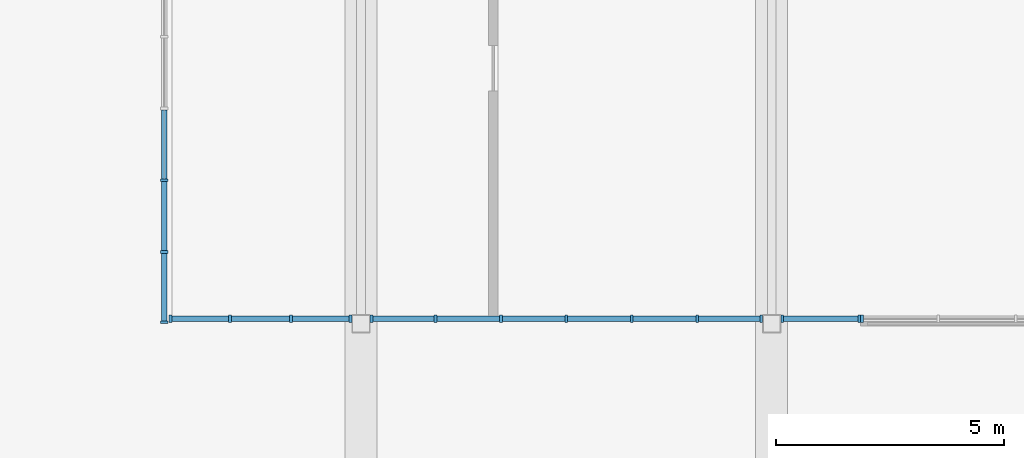
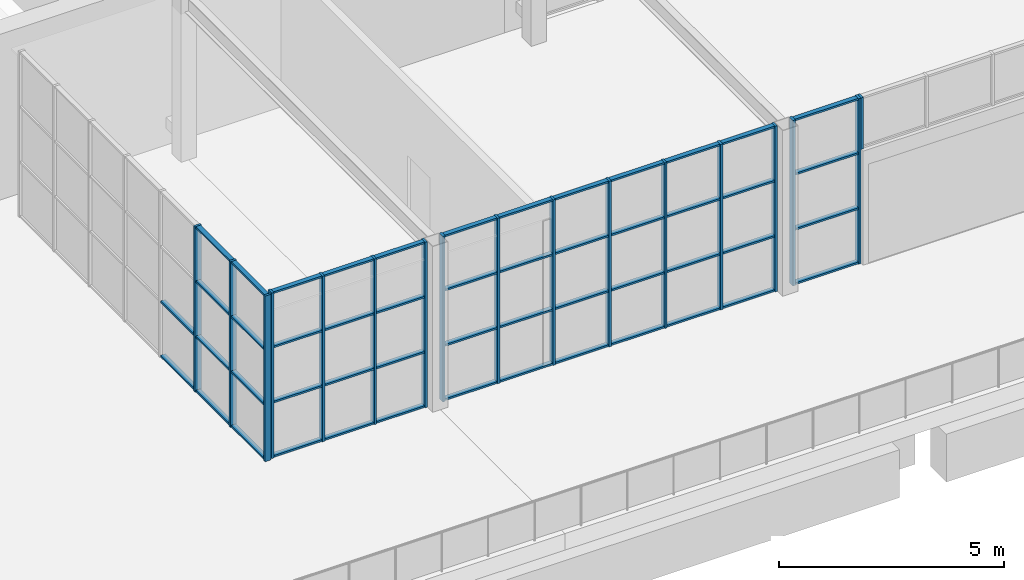
# One storey, part 29 of 168: 67 members, 5 elements without a shape of their own.
"""IFC4 building model written with IfcOpenShell, lengths in metres."""

from ifc_helpers import new_model, si_unit, direction, frame, origin, origin_2d, place, context, subcontext, project, spatial, rectangle, extrude, material, material_profile, profile_set, type_object, element, aggregate, save


model = new_model("IFC4")

# Units and contexts
model_context = context("Model", 3, precision=1e-05, world=origin(), true_north=direction((0.0, 1.0)))
body_context = subcontext(model_context, "Body", "Model", "MODEL_VIEW")
ifc_project = project(units=[si_unit("LENGTHUNIT", "METRE"), si_unit("AREAUNIT", "SQUARE_METRE"), si_unit("VOLUMEUNIT", "CUBIC_METRE"), si_unit("PLANEANGLEUNIT", "RADIAN"), si_unit("MASSUNIT", "GRAM", prefix="KILO")], contexts=[model_context])

# Site, building, storey
site_placement = place(None, origin())
site = spatial("IfcSite", under=ifc_project, at=site_placement, CompositionType="ELEMENT")
building_placement = place(site_placement, origin())
building = spatial("IfcBuilding", under=site, at=building_placement, Name="Silverbay Arena", CompositionType="ELEMENT")
storey_placement = place(building_placement, frame((0.0, 0.0, 7.0)))
storey = spatial("IfcBuildingStorey", under=building, at=storey_placement, Name="L01", CompositionType="ELEMENT", Elevation=7.0)

# Curtain wall, members
ifc_material_1 = material(Name="Aluminium framed curtain wall", Category="aluminium")
curtain_wall_type_1 = type_object("IfcCurtainWallType", Name="Curtain wall 8600 x 4500", PredefinedType="NOTDEFINED", material=ifc_material_1)
curtain_wall_1_placement = place(storey_placement, origin())
curtain_wall_1 = element("IfcCurtainWall", 1, at=curtain_wall_1_placement, inside=storey, type_object=curtain_wall_type_1, Name="South entrance hall S1 glazing F0", PredefinedType="NOTDEFINED")
ifc_material_2 = material(Name="Aluminium", Category="aluminium")
ifc_material_profile_1 = material_profile(ifc_material_2, rectangle(XDim=0.159912109375, YDim=0.06005859375, at=origin_2d()), Name="Mullion 60 x 160")
ifc_profile_set_1 = profile_set([ifc_material_profile_1], Name="Aluminium")
member_type_1 = type_object("IfcMemberType", Name="Mullion 60 x 160", PredefinedType="MULLION", material=ifc_profile_set_1)
member_1_placement = place(storey_placement, frame((117.22998046875, 5.860107421875, 0.0), z_axis=(0.0, 0.0, 1.0), x_axis=(0.0, 1.0, 0.0)))
member_1 = element("IfcMember", 2, at=member_1_placement, type_object=member_type_1, Name="CW24 mullion 1", PredefinedType="MULLION", context=body_context, shape_type="SweptSolid", body=[
    extrude(rectangle(XDim=0.159912109375, YDim=0.06005859375, at=origin_2d()), origin(), (0.0, 0.0, 1.0), 4.5),
])
member_2_placement = place(storey_placement, frame((118.63330078125, 5.860107421875, 0.0), z_axis=(0.0, 0.0, 1.0), x_axis=(0.0, 1.0, 0.0)))
member_2 = element("IfcMember", 3, at=member_2_placement, type_object=member_type_1, Name="CW24 mullion 2", PredefinedType="MULLION", context=body_context, shape_type="SweptSolid", body=[
    extrude(rectangle(XDim=0.159912109375, YDim=0.06005859375, at=origin_2d()), origin(), (0.0, 0.0, 1.0), 4.5),
])
member_3_placement = place(storey_placement, frame((120.066650390625, 5.860107421875, 0.0), z_axis=(0.0, 0.0, 1.0), x_axis=(0.0, 1.0, 0.0)))
member_3 = element("IfcMember", 4, at=member_3_placement, type_object=member_type_1, Name="CW24 mullion 3", PredefinedType="MULLION", context=body_context, shape_type="SweptSolid", body=[
    extrude(rectangle(XDim=0.159912109375, YDim=0.06005859375, at=origin_2d()), origin(), (0.0, 0.0, 1.0), 4.5),
])
member_4_placement = place(storey_placement, frame((121.5, 5.860107421875, 0.0), z_axis=(0.0, 0.0, 1.0), x_axis=(0.0, 1.0, 0.0)))
member_4 = element("IfcMember", 5, at=member_4_placement, type_object=member_type_1, Name="CW24 mullion 4", PredefinedType="MULLION", context=body_context, shape_type="SweptSolid", body=[
    extrude(rectangle(XDim=0.159912109375, YDim=0.06005859375, at=origin_2d()), origin(), (0.0, 0.0, 1.0), 4.5),
])
member_5_placement = place(storey_placement, frame((122.933349609375, 5.860107421875, 0.0), z_axis=(0.0, 0.0, 1.0), x_axis=(0.0, 1.0, 0.0)))
member_5 = element("IfcMember", 6, at=member_5_placement, type_object=member_type_1, Name="CW24 mullion 5", PredefinedType="MULLION", context=body_context, shape_type="SweptSolid", body=[
    extrude(rectangle(XDim=0.159912109375, YDim=0.06005859375, at=origin_2d()), origin(), (0.0, 0.0, 1.0), 4.5),
])
member_6_placement = place(storey_placement, frame((124.36669921875, 5.860107421875, 0.0), z_axis=(0.0, 0.0, 1.0), x_axis=(0.0, 1.0, 0.0)))
member_6 = element("IfcMember", 7, at=member_6_placement, type_object=member_type_1, Name="CW24 mullion 6", PredefinedType="MULLION", context=body_context, shape_type="SweptSolid", body=[
    extrude(rectangle(XDim=0.159912109375, YDim=0.06005859375, at=origin_2d()), origin(), (0.0, 0.0, 1.0), 4.5),
])
member_7_placement = place(storey_placement, frame((125.77001953125, 5.860107421875, 0.0), z_axis=(0.0, 0.0, 1.0), x_axis=(0.0, 1.0, 0.0)))
member_7 = element("IfcMember", 8, at=member_7_placement, type_object=member_type_1, Name="CW24 mullion 7", PredefinedType="MULLION", context=body_context, shape_type="SweptSolid", body=[
    extrude(rectangle(XDim=0.159912109375, YDim=0.06005859375, at=origin_2d()), origin(), (0.0, 0.0, 1.0), 4.5),
])

ifc_material_3 = material(Name="Aluminium framed curtain wall", Category="aluminium")
curtain_wall_type_2 = type_object("IfcCurtainWallType", Name="Curtain wall 1750 x 4500", PredefinedType="NOTDEFINED", material=ifc_material_3)
curtain_wall_2_placement = place(storey_placement, origin())
curtain_wall_2 = element("IfcCurtainWall", 9, at=curtain_wall_2_placement, inside=storey, type_object=curtain_wall_type_2, Name="South entrance hall S1 glazing F1a", PredefinedType="NOTDEFINED")
member_8_placement = place(storey_placement, frame((126.22998046875, 5.860107421875, 0.0), z_axis=(0.0, 0.0, 1.0), x_axis=(0.0, 1.0, 0.0)))
member_8 = element("IfcMember", 10, at=member_8_placement, type_object=member_type_1, Name="CW28 mullion 1", PredefinedType="MULLION", context=body_context, shape_type="SweptSolid", body=[
    extrude(rectangle(XDim=0.159912109375, YDim=0.06005859375, at=origin_2d()), origin(), (0.0, 0.0, 1.0), 4.5),
])
member_9_placement = place(storey_placement, frame((127.919921875, 5.860107421875, 0.0), z_axis=(0.0, 0.0, 1.0), x_axis=(0.0, 1.0, 0.0)))
member_9 = element("IfcMember", 11, at=member_9_placement, type_object=member_type_1, Name="CW28 mullion 2", PredefinedType="MULLION", context=body_context, shape_type="SweptSolid", body=[
    extrude(rectangle(XDim=0.159912109375, YDim=0.06005859375, at=origin_2d()), origin(), (0.0, 0.0, 1.0), 4.5),
])

ifc_material_4 = material(Name="Aluminium framed curtain wall", Category="aluminium")
curtain_wall_type_3 = type_object("IfcCurtainWallType", Name="Curtain wall 4000 x 4500", PredefinedType="NOTDEFINED", material=ifc_material_4)
curtain_wall_3_placement = place(storey_placement, origin())
curtain_wall_3 = element("IfcCurtainWall", 12, at=curtain_wall_3_placement, inside=storey, type_object=curtain_wall_type_3, Name="South entrance hall S1 glazing F-a", PredefinedType="NOTDEFINED")
member_10_placement = place(storey_placement, frame((112.830078125, 5.860107421875, 0.0), z_axis=(0.0, 0.0, 1.0), x_axis=(0.0, 1.0, 0.0)))
member_10 = element("IfcMember", 13, at=member_10_placement, type_object=member_type_1, Name="CW32 mullion 1", PredefinedType="MULLION", context=body_context, shape_type="SweptSolid", body=[
    extrude(rectangle(XDim=0.159912109375, YDim=0.06005859375, at=origin_2d()), origin(), (0.0, 0.0, 1.0), 4.5),
])
member_11_placement = place(storey_placement, frame((114.13330078125, 5.860107421875, 0.0), z_axis=(0.0, 0.0, 1.0), x_axis=(0.0, 1.0, 0.0)))
member_11 = element("IfcMember", 14, at=member_11_placement, type_object=member_type_1, Name="CW32 mullion 2", PredefinedType="MULLION", context=body_context, shape_type="SweptSolid", body=[
    extrude(rectangle(XDim=0.159912109375, YDim=0.06005859375, at=origin_2d()), origin(), (0.0, 0.0, 1.0), 4.5),
])
member_12_placement = place(storey_placement, frame((115.466552734375, 5.860107421875, 0.0), z_axis=(0.0, 0.0, 1.0), x_axis=(0.0, 1.0, 0.0)))
member_12 = element("IfcMember", 15, at=member_12_placement, type_object=member_type_1, Name="CW32 mullion 3", PredefinedType="MULLION", context=body_context, shape_type="SweptSolid", body=[
    extrude(rectangle(XDim=0.159912109375, YDim=0.06005859375, at=origin_2d()), origin(), (0.0, 0.0, 1.0), 4.5),
])
member_13_placement = place(storey_placement, frame((116.77001953125, 5.860107421875, 0.0), z_axis=(0.0, 0.0, 1.0), x_axis=(0.0, 1.0, 0.0)))
member_13 = element("IfcMember", 16, at=member_13_placement, type_object=member_type_1, Name="CW32 mullion 4", PredefinedType="MULLION", context=body_context, shape_type="SweptSolid", body=[
    extrude(rectangle(XDim=0.159912109375, YDim=0.06005859375, at=origin_2d()), origin(), (0.0, 0.0, 1.0), 4.5),
])

ifc_material_5 = material(Name="Aluminium framed curtain wall", Category="aluminium")
curtain_wall_type_4 = type_object("IfcCurtainWallType", Name="Curtain wall 11000 x 4500", PredefinedType="NOTDEFINED", material=ifc_material_5)
curtain_wall_4_placement = place(storey_placement, origin())
curtain_wall_4 = element("IfcCurtainWall", 17, at=curtain_wall_4_placement, inside=storey, type_object=curtain_wall_type_4, Name="South entrance hall S1 glazing SA", PredefinedType="NOTDEFINED")
member_14_placement = place(storey_placement, frame((112.68994140625, 5.780029296875, 0.0), z_axis=(0.0, 0.0, 1.0), x_axis=(-1.0, 0.0, 0.0)))
member_14 = element("IfcMember", 18, at=member_14_placement, type_object=member_type_1, Name="CW36 mullion 1", PredefinedType="MULLION", context=body_context, shape_type="SweptSolid", body=[
    extrude(rectangle(XDim=0.159912109375, YDim=0.06005859375, at=origin_2d()), origin(), (0.0, 0.0, 1.0), 4.5),
])
member_15_placement = place(storey_placement, frame((112.68994140625, 7.321533203125, 0.0), z_axis=(0.0, 0.0, 1.0), x_axis=(-1.0, 0.0, 0.0)))
member_15 = element("IfcMember", 19, at=member_15_placement, type_object=member_type_1, Name="CW36 mullion 2", PredefinedType="MULLION", context=body_context, shape_type="SweptSolid", body=[
    extrude(rectangle(XDim=0.159912109375, YDim=0.06005859375, at=origin_2d()), origin(), (0.0, 0.0, 1.0), 4.5),
])
member_16_placement = place(storey_placement, frame((112.68994140625, 8.892822265625, 0.0), z_axis=(0.0, 0.0, 1.0), x_axis=(-1.0, 0.0, 0.0)))
member_16 = element("IfcMember", 20, at=member_16_placement, type_object=member_type_1, Name="CW36 mullion 3", PredefinedType="MULLION", context=body_context, shape_type="SweptSolid", body=[
    extrude(rectangle(XDim=0.159912109375, YDim=0.06005859375, at=origin_2d()), origin(), (0.0, 0.0, 1.0), 4.5),
])

# Curtain wall, member
ifc_material_6 = material(Name="Aluminium framed curtain wall", Category="aluminium")
curtain_wall_type_5 = type_object("IfcCurtainWallType", Name="Curtain wall 5100 x 1400", PredefinedType="NOTDEFINED", material=ifc_material_6)
curtain_wall_5_placement = place(storey_placement, origin())
curtain_wall_5 = element("IfcCurtainWall", 21, at=curtain_wall_5_placement, inside=storey, type_object=curtain_wall_type_5, Name="South entrance hall S1 glazing over the door", PredefinedType="NOTDEFINED")
member_17_placement = place(storey_placement, frame((127.97998046875, 5.860107421875, 3.10009765625), z_axis=(0.0, 0.0, 1.0), x_axis=(0.0, 1.0, 0.0)))
member_17 = element("IfcMember", 22, at=member_17_placement, type_object=member_type_1, Name="CW39 mullion 1", PredefinedType="MULLION", context=body_context, shape_type="SweptSolid", body=[
    extrude(rectangle(XDim=0.159912109375, YDim=0.06005859375, at=origin_2d()), origin(), (0.0, 0.0, 1.0), 1.39990234375),
])
aggregate(curtain_wall_5, [member_17])

# Member
ifc_material_7 = material(Name="Aluminium", Category="aluminium")
ifc_material_profile_2 = material_profile(ifc_material_7, rectangle(XDim=0.1201171875, YDim=0.050048828125, at=origin_2d()), Name="Transom 50 x 120")
ifc_profile_set_2 = profile_set([ifc_material_profile_2], Name="Aluminium")
member_type_2 = type_object("IfcMemberType", Name="Transom 50 x 120", PredefinedType="USERDEFINED", material=ifc_profile_set_2)
member_18_placement = place(storey_placement, frame((117.260009765625, 5.860107421875, 0.02490234375), z_axis=(1.0, 0.0, 0.0), x_axis=(0.0, 1.0, 0.0)))
member_18 = element("IfcMember", 23, at=member_18_placement, type_object=member_type_2, Name="CW24 transom 1.1", ObjectType="TRANSOM", PredefinedType="USERDEFINED", context=body_context, shape_type="SweptSolid", body=[
    extrude(rectangle(XDim=0.1201171875, YDim=0.050048828125, at=origin_2d()), origin(), (0.0, 0.0, 1.0), 1.34326171875),
])

member_19_placement = place(storey_placement, frame((117.260009765625, 5.860107421875, 1.5), z_axis=(1.0, 0.0, 0.0), x_axis=(0.0, 1.0, 0.0)))
member_19 = element("IfcMember", 24, at=member_19_placement, type_object=member_type_2, Name="CW24 transom 1.2", ObjectType="TRANSOM", PredefinedType="USERDEFINED", context=body_context, shape_type="SweptSolid", body=[
    extrude(rectangle(XDim=0.1201171875, YDim=0.050048828125, at=origin_2d()), origin(), (0.0, 0.0, 1.0), 1.34326171875),
])

member_20_placement = place(storey_placement, frame((117.260009765625, 5.860107421875, 3.0), z_axis=(1.0, 0.0, 0.0), x_axis=(0.0, 1.0, 0.0)))
member_20 = element("IfcMember", 25, at=member_20_placement, type_object=member_type_2, Name="CW24 transom 1.3", ObjectType="TRANSOM", PredefinedType="USERDEFINED", context=body_context, shape_type="SweptSolid", body=[
    extrude(rectangle(XDim=0.1201171875, YDim=0.050048828125, at=origin_2d()), origin(), (0.0, 0.0, 1.0), 1.34326171875),
])

member_21_placement = place(storey_placement, frame((117.260009765625, 5.860107421875, 4.47509765625), z_axis=(1.0, 0.0, 0.0), x_axis=(0.0, 1.0, 0.0)))
member_21 = element("IfcMember", 26, at=member_21_placement, type_object=member_type_2, Name="CW24 transom 1.4", ObjectType="TRANSOM", PredefinedType="USERDEFINED", context=body_context, shape_type="SweptSolid", body=[
    extrude(rectangle(XDim=0.1201171875, YDim=0.050048828125, at=origin_2d()), origin(), (0.0, 0.0, 1.0), 1.34326171875),
])

member_22_placement = place(storey_placement, frame((118.663330078125, 5.860107421875, 0.02490234375), z_axis=(1.0, 0.0, 0.0), x_axis=(0.0, 1.0, 0.0)))
member_22 = element("IfcMember", 27, at=member_22_placement, type_object=member_type_2, Name="CW24 transom 2.1", ObjectType="TRANSOM", PredefinedType="USERDEFINED", context=body_context, shape_type="SweptSolid", body=[
    extrude(rectangle(XDim=0.1201171875, YDim=0.050048828125, at=origin_2d()), origin(), (0.0, 0.0, 1.0), 1.373291015625),
])

member_23_placement = place(storey_placement, frame((118.663330078125, 5.860107421875, 1.5), z_axis=(1.0, 0.0, 0.0), x_axis=(0.0, 1.0, 0.0)))
member_23 = element("IfcMember", 28, at=member_23_placement, type_object=member_type_2, Name="CW24 transom 2.2", ObjectType="TRANSOM", PredefinedType="USERDEFINED", context=body_context, shape_type="SweptSolid", body=[
    extrude(rectangle(XDim=0.1201171875, YDim=0.050048828125, at=origin_2d()), origin(), (0.0, 0.0, 1.0), 1.373291015625),
])

member_24_placement = place(storey_placement, frame((118.663330078125, 5.860107421875, 3.0), z_axis=(1.0, 0.0, 0.0), x_axis=(0.0, 1.0, 0.0)))
member_24 = element("IfcMember", 29, at=member_24_placement, type_object=member_type_2, Name="CW24 transom 2.3", ObjectType="TRANSOM", PredefinedType="USERDEFINED", context=body_context, shape_type="SweptSolid", body=[
    extrude(rectangle(XDim=0.1201171875, YDim=0.050048828125, at=origin_2d()), origin(), (0.0, 0.0, 1.0), 1.373291015625),
])

member_25_placement = place(storey_placement, frame((118.663330078125, 5.860107421875, 4.47509765625), z_axis=(1.0, 0.0, 0.0), x_axis=(0.0, 1.0, 0.0)))
member_25 = element("IfcMember", 30, at=member_25_placement, type_object=member_type_2, Name="CW24 transom 2.4", ObjectType="TRANSOM", PredefinedType="USERDEFINED", context=body_context, shape_type="SweptSolid", body=[
    extrude(rectangle(XDim=0.1201171875, YDim=0.050048828125, at=origin_2d()), origin(), (0.0, 0.0, 1.0), 1.373291015625),
])

member_26_placement = place(storey_placement, frame((120.0966796875, 5.860107421875, 0.02490234375), z_axis=(1.0, 0.0, 0.0), x_axis=(0.0, 1.0, 0.0)))
member_26 = element("IfcMember", 31, at=member_26_placement, type_object=member_type_2, Name="CW24 transom 3.1", ObjectType="TRANSOM", PredefinedType="USERDEFINED", context=body_context, shape_type="SweptSolid", body=[
    extrude(rectangle(XDim=0.1201171875, YDim=0.050048828125, at=origin_2d()), origin(), (0.0, 0.0, 1.0), 1.373291015625),
])

member_27_placement = place(storey_placement, frame((120.0966796875, 5.860107421875, 1.5), z_axis=(1.0, 0.0, 0.0), x_axis=(0.0, 1.0, 0.0)))
member_27 = element("IfcMember", 32, at=member_27_placement, type_object=member_type_2, Name="CW24 transom 3.2", ObjectType="TRANSOM", PredefinedType="USERDEFINED", context=body_context, shape_type="SweptSolid", body=[
    extrude(rectangle(XDim=0.1201171875, YDim=0.050048828125, at=origin_2d()), origin(), (0.0, 0.0, 1.0), 1.373291015625),
])

member_28_placement = place(storey_placement, frame((120.0966796875, 5.860107421875, 3.0), z_axis=(1.0, 0.0, 0.0), x_axis=(0.0, 1.0, 0.0)))
member_28 = element("IfcMember", 33, at=member_28_placement, type_object=member_type_2, Name="CW24 transom 3.3", ObjectType="TRANSOM", PredefinedType="USERDEFINED", context=body_context, shape_type="SweptSolid", body=[
    extrude(rectangle(XDim=0.1201171875, YDim=0.050048828125, at=origin_2d()), origin(), (0.0, 0.0, 1.0), 1.373291015625),
])

member_29_placement = place(storey_placement, frame((120.0966796875, 5.860107421875, 4.47509765625), z_axis=(1.0, 0.0, 0.0), x_axis=(0.0, 1.0, 0.0)))
member_29 = element("IfcMember", 34, at=member_29_placement, type_object=member_type_2, Name="CW24 transom 3.4", ObjectType="TRANSOM", PredefinedType="USERDEFINED", context=body_context, shape_type="SweptSolid", body=[
    extrude(rectangle(XDim=0.1201171875, YDim=0.050048828125, at=origin_2d()), origin(), (0.0, 0.0, 1.0), 1.373291015625),
])

member_30_placement = place(storey_placement, frame((121.530029296875, 5.860107421875, 0.02490234375), z_axis=(1.0, 0.0, 0.0), x_axis=(0.0, 1.0, 0.0)))
member_30 = element("IfcMember", 35, at=member_30_placement, type_object=member_type_2, Name="CW24 transom 4.1", ObjectType="TRANSOM", PredefinedType="USERDEFINED", context=body_context, shape_type="SweptSolid", body=[
    extrude(rectangle(XDim=0.1201171875, YDim=0.050048828125, at=origin_2d()), origin(), (0.0, 0.0, 1.0), 1.373291015625),
])

member_31_placement = place(storey_placement, frame((121.530029296875, 5.860107421875, 1.5), z_axis=(1.0, 0.0, 0.0), x_axis=(0.0, 1.0, 0.0)))
member_31 = element("IfcMember", 36, at=member_31_placement, type_object=member_type_2, Name="CW24 transom 4.2", ObjectType="TRANSOM", PredefinedType="USERDEFINED", context=body_context, shape_type="SweptSolid", body=[
    extrude(rectangle(XDim=0.1201171875, YDim=0.050048828125, at=origin_2d()), origin(), (0.0, 0.0, 1.0), 1.373291015625),
])

member_32_placement = place(storey_placement, frame((121.530029296875, 5.860107421875, 3.0), z_axis=(1.0, 0.0, 0.0), x_axis=(0.0, 1.0, 0.0)))
member_32 = element("IfcMember", 37, at=member_32_placement, type_object=member_type_2, Name="CW24 transom 4.3", ObjectType="TRANSOM", PredefinedType="USERDEFINED", context=body_context, shape_type="SweptSolid", body=[
    extrude(rectangle(XDim=0.1201171875, YDim=0.050048828125, at=origin_2d()), origin(), (0.0, 0.0, 1.0), 1.373291015625),
])

member_33_placement = place(storey_placement, frame((121.530029296875, 5.860107421875, 4.47509765625), z_axis=(1.0, 0.0, 0.0), x_axis=(0.0, 1.0, 0.0)))
member_33 = element("IfcMember", 38, at=member_33_placement, type_object=member_type_2, Name="CW24 transom 4.4", ObjectType="TRANSOM", PredefinedType="USERDEFINED", context=body_context, shape_type="SweptSolid", body=[
    extrude(rectangle(XDim=0.1201171875, YDim=0.050048828125, at=origin_2d()), origin(), (0.0, 0.0, 1.0), 1.373291015625),
])

member_34_placement = place(storey_placement, frame((122.96337890625, 5.860107421875, 0.02490234375), z_axis=(1.0, 0.0, 0.0), x_axis=(0.0, 1.0, 0.0)))
member_34 = element("IfcMember", 39, at=member_34_placement, type_object=member_type_2, Name="CW24 transom 5.1", ObjectType="TRANSOM", PredefinedType="USERDEFINED", context=body_context, shape_type="SweptSolid", body=[
    extrude(rectangle(XDim=0.1201171875, YDim=0.050048828125, at=origin_2d()), origin(), (0.0, 0.0, 1.0), 1.373291015625),
])

member_35_placement = place(storey_placement, frame((122.96337890625, 5.860107421875, 1.5), z_axis=(1.0, 0.0, 0.0), x_axis=(0.0, 1.0, 0.0)))
member_35 = element("IfcMember", 40, at=member_35_placement, type_object=member_type_2, Name="CW24 transom 5.2", ObjectType="TRANSOM", PredefinedType="USERDEFINED", context=body_context, shape_type="SweptSolid", body=[
    extrude(rectangle(XDim=0.1201171875, YDim=0.050048828125, at=origin_2d()), origin(), (0.0, 0.0, 1.0), 1.373291015625),
])

member_36_placement = place(storey_placement, frame((122.96337890625, 5.860107421875, 3.0), z_axis=(1.0, 0.0, 0.0), x_axis=(0.0, 1.0, 0.0)))
member_36 = element("IfcMember", 41, at=member_36_placement, type_object=member_type_2, Name="CW24 transom 5.3", ObjectType="TRANSOM", PredefinedType="USERDEFINED", context=body_context, shape_type="SweptSolid", body=[
    extrude(rectangle(XDim=0.1201171875, YDim=0.050048828125, at=origin_2d()), origin(), (0.0, 0.0, 1.0), 1.373291015625),
])

member_37_placement = place(storey_placement, frame((122.96337890625, 5.860107421875, 4.47509765625), z_axis=(1.0, 0.0, 0.0), x_axis=(0.0, 1.0, 0.0)))
member_37 = element("IfcMember", 42, at=member_37_placement, type_object=member_type_2, Name="CW24 transom 5.4", ObjectType="TRANSOM", PredefinedType="USERDEFINED", context=body_context, shape_type="SweptSolid", body=[
    extrude(rectangle(XDim=0.1201171875, YDim=0.050048828125, at=origin_2d()), origin(), (0.0, 0.0, 1.0), 1.373291015625),
])

member_38_placement = place(storey_placement, frame((124.396728515625, 5.860107421875, 0.02490234375), z_axis=(1.0, 0.0, 0.0), x_axis=(0.0, 1.0, 0.0)))
member_38 = element("IfcMember", 43, at=member_38_placement, type_object=member_type_2, Name="CW24 transom 6.1", ObjectType="TRANSOM", PredefinedType="USERDEFINED", context=body_context, shape_type="SweptSolid", body=[
    extrude(rectangle(XDim=0.1201171875, YDim=0.050048828125, at=origin_2d()), origin(), (0.0, 0.0, 1.0), 1.34326171875),
])

member_39_placement = place(storey_placement, frame((124.396728515625, 5.860107421875, 1.5), z_axis=(1.0, 0.0, 0.0), x_axis=(0.0, 1.0, 0.0)))
member_39 = element("IfcMember", 44, at=member_39_placement, type_object=member_type_2, Name="CW24 transom 6.2", ObjectType="TRANSOM", PredefinedType="USERDEFINED", context=body_context, shape_type="SweptSolid", body=[
    extrude(rectangle(XDim=0.1201171875, YDim=0.050048828125, at=origin_2d()), origin(), (0.0, 0.0, 1.0), 1.34326171875),
])

member_40_placement = place(storey_placement, frame((124.396728515625, 5.860107421875, 3.0), z_axis=(1.0, 0.0, 0.0), x_axis=(0.0, 1.0, 0.0)))
member_40 = element("IfcMember", 45, at=member_40_placement, type_object=member_type_2, Name="CW24 transom 6.3", ObjectType="TRANSOM", PredefinedType="USERDEFINED", context=body_context, shape_type="SweptSolid", body=[
    extrude(rectangle(XDim=0.1201171875, YDim=0.050048828125, at=origin_2d()), origin(), (0.0, 0.0, 1.0), 1.34326171875),
])

member_41_placement = place(storey_placement, frame((124.396728515625, 5.860107421875, 4.47509765625), z_axis=(1.0, 0.0, 0.0), x_axis=(0.0, 1.0, 0.0)))
member_41 = element("IfcMember", 46, at=member_41_placement, type_object=member_type_2, Name="CW24 transom 6.4", ObjectType="TRANSOM", PredefinedType="USERDEFINED", context=body_context, shape_type="SweptSolid", body=[
    extrude(rectangle(XDim=0.1201171875, YDim=0.050048828125, at=origin_2d()), origin(), (0.0, 0.0, 1.0), 1.34326171875),
])

aggregate(curtain_wall_1, [member_1, member_2, member_3, member_4, member_5, member_6, member_7, member_18, member_19, member_20, member_21, member_22, member_23, member_24, member_25, member_26, member_27, member_28, member_29, member_30, member_31, member_32, member_33, member_34, member_35, member_36, member_37, member_38, member_39, member_40, member_41])

member_42_placement = place(storey_placement, frame((126.260009765625, 5.860107421875, 0.02490234375), z_axis=(1.0, 0.0, 0.0), x_axis=(0.0, 1.0, 0.0)))
member_42 = element("IfcMember", 47, at=member_42_placement, type_object=member_type_2, Name="CW28 transom 1.1", ObjectType="TRANSOM", PredefinedType="USERDEFINED", context=body_context, shape_type="SweptSolid", body=[
    extrude(rectangle(XDim=0.1201171875, YDim=0.050048828125, at=origin_2d()), origin(), (0.0, 0.0, 1.0), 1.6298828125),
])

member_43_placement = place(storey_placement, frame((126.260009765625, 5.860107421875, 1.5), z_axis=(1.0, 0.0, 0.0), x_axis=(0.0, 1.0, 0.0)))
member_43 = element("IfcMember", 48, at=member_43_placement, type_object=member_type_2, Name="CW28 transom 1.2", ObjectType="TRANSOM", PredefinedType="USERDEFINED", context=body_context, shape_type="SweptSolid", body=[
    extrude(rectangle(XDim=0.1201171875, YDim=0.050048828125, at=origin_2d()), origin(), (0.0, 0.0, 1.0), 1.6298828125),
])

member_44_placement = place(storey_placement, frame((126.260009765625, 5.860107421875, 3.0), z_axis=(1.0, 0.0, 0.0), x_axis=(0.0, 1.0, 0.0)))
member_44 = element("IfcMember", 49, at=member_44_placement, type_object=member_type_2, Name="CW28 transom 1.3", ObjectType="TRANSOM", PredefinedType="USERDEFINED", context=body_context, shape_type="SweptSolid", body=[
    extrude(rectangle(XDim=0.1201171875, YDim=0.050048828125, at=origin_2d()), origin(), (0.0, 0.0, 1.0), 1.6298828125),
])

member_45_placement = place(storey_placement, frame((126.260009765625, 5.860107421875, 4.47509765625), z_axis=(1.0, 0.0, 0.0), x_axis=(0.0, 1.0, 0.0)))
member_45 = element("IfcMember", 50, at=member_45_placement, type_object=member_type_2, Name="CW28 transom 1.4", ObjectType="TRANSOM", PredefinedType="USERDEFINED", context=body_context, shape_type="SweptSolid", body=[
    extrude(rectangle(XDim=0.1201171875, YDim=0.050048828125, at=origin_2d()), origin(), (0.0, 0.0, 1.0), 1.6298828125),
])

aggregate(curtain_wall_2, [member_8, member_9, member_42, member_43, member_44, member_45])

member_46_placement = place(storey_placement, frame((112.860107421875, 5.860107421875, 0.02490234375), z_axis=(1.0, 0.0, 0.0), x_axis=(0.0, 1.0, 0.0)))
member_46 = element("IfcMember", 51, at=member_46_placement, type_object=member_type_2, Name="CW32 transom 1.1", ObjectType="TRANSOM", PredefinedType="USERDEFINED", context=body_context, shape_type="SweptSolid", body=[
    extrude(rectangle(XDim=0.1201171875, YDim=0.050048828125, at=origin_2d()), origin(), (0.0, 0.0, 1.0), 1.2431640625),
])

member_47_placement = place(storey_placement, frame((112.860107421875, 5.860107421875, 1.5), z_axis=(1.0, 0.0, 0.0), x_axis=(0.0, 1.0, 0.0)))
member_47 = element("IfcMember", 52, at=member_47_placement, type_object=member_type_2, Name="CW32 transom 1.2", ObjectType="TRANSOM", PredefinedType="USERDEFINED", context=body_context, shape_type="SweptSolid", body=[
    extrude(rectangle(XDim=0.1201171875, YDim=0.050048828125, at=origin_2d()), origin(), (0.0, 0.0, 1.0), 1.2431640625),
])

member_48_placement = place(storey_placement, frame((112.860107421875, 5.860107421875, 3.0), z_axis=(1.0, 0.0, 0.0), x_axis=(0.0, 1.0, 0.0)))
member_48 = element("IfcMember", 53, at=member_48_placement, type_object=member_type_2, Name="CW32 transom 1.3", ObjectType="TRANSOM", PredefinedType="USERDEFINED", context=body_context, shape_type="SweptSolid", body=[
    extrude(rectangle(XDim=0.1201171875, YDim=0.050048828125, at=origin_2d()), origin(), (0.0, 0.0, 1.0), 1.2431640625),
])

member_49_placement = place(storey_placement, frame((112.860107421875, 5.860107421875, 4.47509765625), z_axis=(1.0, 0.0, 0.0), x_axis=(0.0, 1.0, 0.0)))
member_49 = element("IfcMember", 54, at=member_49_placement, type_object=member_type_2, Name="CW32 transom 1.4", ObjectType="TRANSOM", PredefinedType="USERDEFINED", context=body_context, shape_type="SweptSolid", body=[
    extrude(rectangle(XDim=0.1201171875, YDim=0.050048828125, at=origin_2d()), origin(), (0.0, 0.0, 1.0), 1.2431640625),
])

member_50_placement = place(storey_placement, frame((114.163330078125, 5.860107421875, 0.02490234375), z_axis=(1.0, 0.0, 0.0), x_axis=(0.0, 1.0, 0.0)))
member_50 = element("IfcMember", 55, at=member_50_placement, type_object=member_type_2, Name="CW32 transom 2.1", ObjectType="TRANSOM", PredefinedType="USERDEFINED", context=body_context, shape_type="SweptSolid", body=[
    extrude(rectangle(XDim=0.1201171875, YDim=0.050048828125, at=origin_2d()), origin(), (0.0, 0.0, 1.0), 1.2734375),
])

member_51_placement = place(storey_placement, frame((114.163330078125, 5.860107421875, 1.5), z_axis=(1.0, 0.0, 0.0), x_axis=(0.0, 1.0, 0.0)))
member_51 = element("IfcMember", 56, at=member_51_placement, type_object=member_type_2, Name="CW32 transom 2.2", ObjectType="TRANSOM", PredefinedType="USERDEFINED", context=body_context, shape_type="SweptSolid", body=[
    extrude(rectangle(XDim=0.1201171875, YDim=0.050048828125, at=origin_2d()), origin(), (0.0, 0.0, 1.0), 1.2734375),
])

member_52_placement = place(storey_placement, frame((114.163330078125, 5.860107421875, 3.0), z_axis=(1.0, 0.0, 0.0), x_axis=(0.0, 1.0, 0.0)))
member_52 = element("IfcMember", 57, at=member_52_placement, type_object=member_type_2, Name="CW32 transom 2.3", ObjectType="TRANSOM", PredefinedType="USERDEFINED", context=body_context, shape_type="SweptSolid", body=[
    extrude(rectangle(XDim=0.1201171875, YDim=0.050048828125, at=origin_2d()), origin(), (0.0, 0.0, 1.0), 1.2734375),
])

member_53_placement = place(storey_placement, frame((114.163330078125, 5.860107421875, 4.47509765625), z_axis=(1.0, 0.0, 0.0), x_axis=(0.0, 1.0, 0.0)))
member_53 = element("IfcMember", 58, at=member_53_placement, type_object=member_type_2, Name="CW32 transom 2.4", ObjectType="TRANSOM", PredefinedType="USERDEFINED", context=body_context, shape_type="SweptSolid", body=[
    extrude(rectangle(XDim=0.1201171875, YDim=0.050048828125, at=origin_2d()), origin(), (0.0, 0.0, 1.0), 1.2734375),
])

member_54_placement = place(storey_placement, frame((115.49658203125, 5.860107421875, 0.02490234375), z_axis=(1.0, 0.0, 0.0), x_axis=(0.0, 1.0, 0.0)))
member_54 = element("IfcMember", 59, at=member_54_placement, type_object=member_type_2, Name="CW32 transom 3.1", ObjectType="TRANSOM", PredefinedType="USERDEFINED", context=body_context, shape_type="SweptSolid", body=[
    extrude(rectangle(XDim=0.1201171875, YDim=0.050048828125, at=origin_2d()), origin(), (0.0, 0.0, 1.0), 1.243408203125),
])

member_55_placement = place(storey_placement, frame((115.49658203125, 5.860107421875, 1.5), z_axis=(1.0, 0.0, 0.0), x_axis=(0.0, 1.0, 0.0)))
member_55 = element("IfcMember", 60, at=member_55_placement, type_object=member_type_2, Name="CW32 transom 3.2", ObjectType="TRANSOM", PredefinedType="USERDEFINED", context=body_context, shape_type="SweptSolid", body=[
    extrude(rectangle(XDim=0.1201171875, YDim=0.050048828125, at=origin_2d()), origin(), (0.0, 0.0, 1.0), 1.243408203125),
])

member_56_placement = place(storey_placement, frame((115.49658203125, 5.860107421875, 3.0), z_axis=(1.0, 0.0, 0.0), x_axis=(0.0, 1.0, 0.0)))
member_56 = element("IfcMember", 61, at=member_56_placement, type_object=member_type_2, Name="CW32 transom 3.3", ObjectType="TRANSOM", PredefinedType="USERDEFINED", context=body_context, shape_type="SweptSolid", body=[
    extrude(rectangle(XDim=0.1201171875, YDim=0.050048828125, at=origin_2d()), origin(), (0.0, 0.0, 1.0), 1.243408203125),
])

member_57_placement = place(storey_placement, frame((115.49658203125, 5.860107421875, 4.47509765625), z_axis=(1.0, 0.0, 0.0), x_axis=(0.0, 1.0, 0.0)))
member_57 = element("IfcMember", 62, at=member_57_placement, type_object=member_type_2, Name="CW32 transom 3.4", ObjectType="TRANSOM", PredefinedType="USERDEFINED", context=body_context, shape_type="SweptSolid", body=[
    extrude(rectangle(XDim=0.1201171875, YDim=0.050048828125, at=origin_2d()), origin(), (0.0, 0.0, 1.0), 1.243408203125),
])

aggregate(curtain_wall_3, [member_10, member_11, member_12, member_13, member_46, member_47, member_48, member_49, member_50, member_51, member_52, member_53, member_54, member_55, member_56, member_57])

member_58_placement = place(storey_placement, frame((112.68994140625, 5.81005859375, 0.02490234375), z_axis=(0.0, 1.0, 0.0), x_axis=(-1.0, 0.0, 0.0)))
member_58 = element("IfcMember", 63, at=member_58_placement, type_object=member_type_2, Name="CW36 transom 1.1", ObjectType="TRANSOM", PredefinedType="USERDEFINED", context=body_context, shape_type="SweptSolid", body=[
    extrude(rectangle(XDim=0.1201171875, YDim=0.050048828125, at=origin_2d()), origin(), (0.0, 0.0, 1.0), 1.4814453125),
])

member_59_placement = place(storey_placement, frame((112.68994140625, 5.81005859375, 1.5), z_axis=(0.0, 1.0, 0.0), x_axis=(-1.0, 0.0, 0.0)))
member_59 = element("IfcMember", 64, at=member_59_placement, type_object=member_type_2, Name="CW36 transom 1.2", ObjectType="TRANSOM", PredefinedType="USERDEFINED", context=body_context, shape_type="SweptSolid", body=[
    extrude(rectangle(XDim=0.1201171875, YDim=0.050048828125, at=origin_2d()), origin(), (0.0, 0.0, 1.0), 1.4814453125),
])

member_60_placement = place(storey_placement, frame((112.68994140625, 5.81005859375, 3.0), z_axis=(0.0, 1.0, 0.0), x_axis=(-1.0, 0.0, 0.0)))
member_60 = element("IfcMember", 65, at=member_60_placement, type_object=member_type_2, Name="CW36 transom 1.3", ObjectType="TRANSOM", PredefinedType="USERDEFINED", context=body_context, shape_type="SweptSolid", body=[
    extrude(rectangle(XDim=0.1201171875, YDim=0.050048828125, at=origin_2d()), origin(), (0.0, 0.0, 1.0), 1.4814453125),
])

member_61_placement = place(storey_placement, frame((112.68994140625, 5.81005859375, 4.47509765625), z_axis=(0.0, 1.0, 0.0), x_axis=(-1.0, 0.0, 0.0)))
member_61 = element("IfcMember", 66, at=member_61_placement, type_object=member_type_2, Name="CW36 transom 1.4", ObjectType="TRANSOM", PredefinedType="USERDEFINED", context=body_context, shape_type="SweptSolid", body=[
    extrude(rectangle(XDim=0.1201171875, YDim=0.050048828125, at=origin_2d()), origin(), (0.0, 0.0, 1.0), 1.4814453125),
])

member_62_placement = place(storey_placement, frame((112.68994140625, 7.351318359375, 0.02490234375), z_axis=(0.0, 1.0, 0.0), x_axis=(-1.0, 0.0, 0.0)))
member_62 = element("IfcMember", 67, at=member_62_placement, type_object=member_type_2, Name="CW36 transom 2.1", ObjectType="TRANSOM", PredefinedType="USERDEFINED", context=body_context, shape_type="SweptSolid", body=[
    extrude(rectangle(XDim=0.1201171875, YDim=0.050048828125, at=origin_2d()), origin(), (0.0, 0.0, 1.0), 1.511474609375),
])

member_63_placement = place(storey_placement, frame((112.68994140625, 7.351318359375, 1.5), z_axis=(0.0, 1.0, 0.0), x_axis=(-1.0, 0.0, 0.0)))
member_63 = element("IfcMember", 68, at=member_63_placement, type_object=member_type_2, Name="CW36 transom 2.2", ObjectType="TRANSOM", PredefinedType="USERDEFINED", context=body_context, shape_type="SweptSolid", body=[
    extrude(rectangle(XDim=0.1201171875, YDim=0.050048828125, at=origin_2d()), origin(), (0.0, 0.0, 1.0), 1.511474609375),
])

member_64_placement = place(storey_placement, frame((112.68994140625, 7.351318359375, 3.0), z_axis=(0.0, 1.0, 0.0), x_axis=(-1.0, 0.0, 0.0)))
member_64 = element("IfcMember", 69, at=member_64_placement, type_object=member_type_2, Name="CW36 transom 2.3", ObjectType="TRANSOM", PredefinedType="USERDEFINED", context=body_context, shape_type="SweptSolid", body=[
    extrude(rectangle(XDim=0.1201171875, YDim=0.050048828125, at=origin_2d()), origin(), (0.0, 0.0, 1.0), 1.511474609375),
])

member_65_placement = place(storey_placement, frame((112.68994140625, 7.351318359375, 4.47509765625), z_axis=(0.0, 1.0, 0.0), x_axis=(-1.0, 0.0, 0.0)))
member_65 = element("IfcMember", 70, at=member_65_placement, type_object=member_type_2, Name="CW36 transom 2.4", ObjectType="TRANSOM", PredefinedType="USERDEFINED", context=body_context, shape_type="SweptSolid", body=[
    extrude(rectangle(XDim=0.1201171875, YDim=0.050048828125, at=origin_2d()), origin(), (0.0, 0.0, 1.0), 1.511474609375),
])

member_66_placement = place(storey_placement, frame((112.68994140625, 8.9228515625, 0.02490234375), z_axis=(0.0, 1.0, 0.0), x_axis=(-1.0, 0.0, 0.0)))
member_66 = element("IfcMember", 71, at=member_66_placement, type_object=member_type_2, Name="CW36 transom 3.1", ObjectType="TRANSOM", PredefinedType="USERDEFINED", context=body_context, shape_type="SweptSolid", body=[
    extrude(rectangle(XDim=0.1201171875, YDim=0.050048828125, at=origin_2d()), origin(), (0.0, 0.0, 1.0), 1.511474609375),
])

member_67_placement = place(storey_placement, frame((112.68994140625, 8.9228515625, 1.5), z_axis=(0.0, 1.0, 0.0), x_axis=(-1.0, 0.0, 0.0)))
member_67 = element("IfcMember", 72, at=member_67_placement, type_object=member_type_2, Name="CW36 transom 3.2", ObjectType="TRANSOM", PredefinedType="USERDEFINED", context=body_context, shape_type="SweptSolid", body=[
    extrude(rectangle(XDim=0.1201171875, YDim=0.050048828125, at=origin_2d()), origin(), (0.0, 0.0, 1.0), 1.511474609375),
])

aggregate(curtain_wall_4, [member_14, member_15, member_16, member_58, member_59, member_60, member_61, member_62, member_63, member_64, member_65, member_66, member_67])

save(model, "model.ifc")
